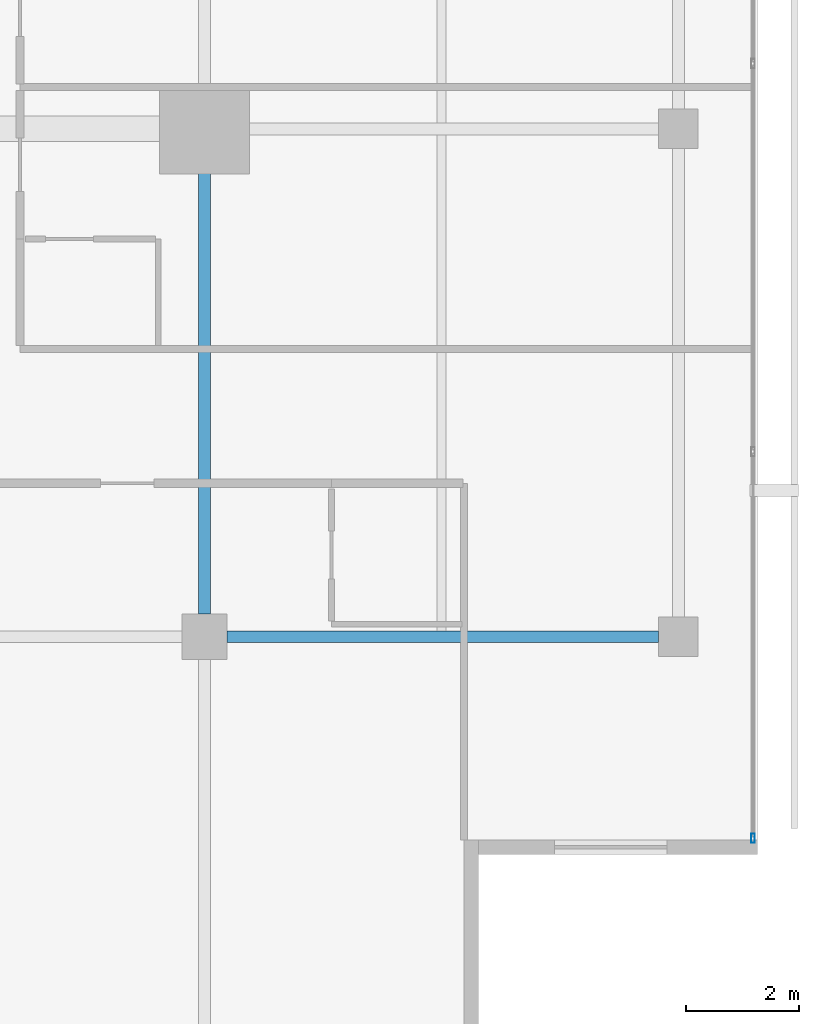
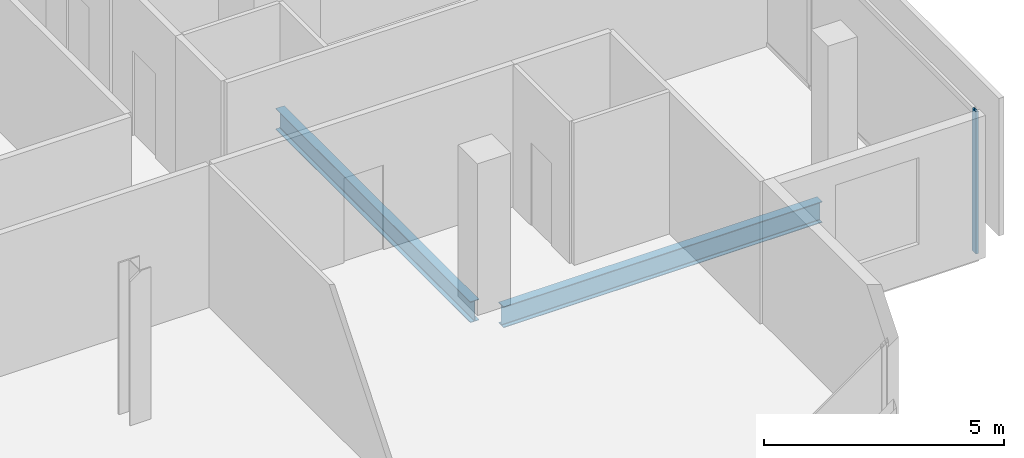
# One storey, part 11 of 25: 2 beams, 1 member, 1 element without a shape of its own.
"""IFC4 building model written with IfcOpenShell, lengths in metres."""

from ifc_helpers import new_model, si_unit, direction, frame, origin, origin_2d, place, context, subcontext, project, spatial, hollow_rectangle, i_section, extrude, material, layer, layer_set, material_profile, profile_set, type_object, element, aggregate, save


model = new_model("IFC4")

# Units and contexts
model_context = context("Model", 3, precision=1e-05, world=origin(), true_north=direction((0.0, 1.0)))
body_context = subcontext(model_context, "Body", "Model", "MODEL_VIEW")
ifc_project = project(units=[si_unit("LENGTHUNIT", "METRE"), si_unit("AREAUNIT", "SQUARE_METRE"), si_unit("VOLUMEUNIT", "CUBIC_METRE"), si_unit("PLANEANGLEUNIT", "RADIAN"), si_unit("MASSUNIT", "GRAM", prefix="KILO")], contexts=[model_context])

# Site, building, storey
site_placement = place(None, origin())
site = spatial("IfcSite", under=ifc_project, at=site_placement, CompositionType="ELEMENT")
building_placement = place(site_placement, origin())
building = spatial("IfcBuilding", under=site, at=building_placement, Name="Maruvema Waterfront Hotel and Observation Tower", CompositionType="ELEMENT")
storey_placement = place(building_placement, frame((0.0, 0.0, 274.050048828125)))
storey = spatial("IfcBuildingStorey", under=building, at=storey_placement, Name="L67", CompositionType="ELEMENT", Elevation=274.050048828125)

# Curtain wall, member
ifc_material_1 = material(Name="Anodised bronze aluminium and solar-control low-E IGU", Category="aluminium")
ifc_layer = layer(ifc_material_1, 0.159912109375, Name="Zone 3 Champagne Inner Thermal Curtain Wall System CW-04")
ifc_layer_set = layer_set([ifc_layer], Name="Anodised bronze aluminium and solar-control low-E IGU")
curtain_wall_type = type_object("IfcCurtainWallType", Name="Zone 3 Champagne Inner Thermal Curtain Wall System CW-04", PredefinedType="USERDEFINED", material=ifc_layer_set)
curtain_wall_placement = place(storey_placement, origin())
curtain_wall = element("IfcCurtainWall", 1, at=curtain_wall_placement, inside=storey, type_object=curtain_wall_type, Name="L67 Curtain Wall CW-L67-E", ObjectType="UNITISED CURTAIN WALL", PredefinedType="USERDEFINED")
ifc_material_2 = material(Name="Anodised architectural bronze aluminium", Category="aluminium")
ifc_material_profile_1 = material_profile(ifc_material_2, hollow_rectangle(XDim=0.06494140625, YDim=0.1650390625, WallThickness=0.00390625, at=origin_2d()), Name="ALU-M65x165")
ifc_profile_set_1 = profile_set([ifc_material_profile_1], Name="Anodised architectural bronze aluminium")
member_type = type_object("IfcMemberType", Name="Curtain Wall Primary Mullion ALU-M65x165", PredefinedType="MULLION", material=ifc_profile_set_1)
member_placement = place(storey_placement, frame((60.1201171875, 14.429931640625, 0.0), z_axis=(0.0, 0.0, 1.0), x_axis=(-1.0, 0.0, 0.0)))
member = element("IfcMember", 2, at=member_placement, type_object=member_type, Name="CW-04 mullion 1", PredefinedType="MULLION", context=body_context, shape_type="SweptSolid", body=[
    extrude(hollow_rectangle(XDim=0.06494140625, YDim=0.1650390625, WallThickness=0.00390625, at=origin_2d()), origin(), (0.0, 0.0, 1.0), 3.60986328125),
])
aggregate(curtain_wall, [member])

# Beams
ifc_material_3 = material(Name="Steel ASTM A572 Grade 50", Category="steel")
ifc_material_profile_2 = material_profile(ifc_material_3, i_section(OverallWidth=0.208984375, OverallDepth=0.532958984375, WebThickness=0.01025390625, FlangeThickness=0.015625, FilletRadius=0.014892578125, at=origin_2d()), Name="W530x92.0")
ifc_profile_set_2 = profile_set([ifc_material_profile_2], Name="Steel ASTM A572 Grade 50")
beam_type = type_object("IfcBeamType", Name="Primary Floor Girder W530x92.0", PredefinedType="BEAM", material=ifc_profile_set_2)
beam_1_placement = place(storey_placement, frame((50.800048828125, 18.0, -0.506591796875), z_axis=(1.0, 0.0, 0.0), x_axis=(0.0, 1.0, 0.0)))
element("IfcBeam", 3, at=beam_1_placement, inside=storey, type_object=beam_type, Name="L67 Floor Girder EW-08", PredefinedType="BEAM", context=body_context, shape_type="SweptSolid", body=[
    extrude(i_section(OverallWidth=0.208984375, OverallDepth=0.532958984375, WebThickness=0.01025390625, FlangeThickness=0.015625, FilletRadius=0.014892578125, at=origin_2d()), origin(), (0.0, 0.0, 1.0), 7.64990234375),
])
beam_2_placement = place(storey_placement, frame((50.39990234375, 18.39990234375, -0.506591796875), z_axis=(0.0, 1.0, 0.0), x_axis=(-1.0, 0.0, 0.0)))
element("IfcBeam", 4, at=beam_2_placement, inside=storey, type_object=beam_type, Name="L67 Floor Girder NS-13", PredefinedType="BEAM", context=body_context, shape_type="SweptSolid", body=[
    extrude(i_section(OverallWidth=0.208984375, OverallDepth=0.532958984375, WebThickness=0.01025390625, FlangeThickness=0.015625, FilletRadius=0.014892578125, at=origin_2d()), origin(), (0.0, 0.0, 1.0), 8.10009765625),
])

save(model, "model.ifc")
